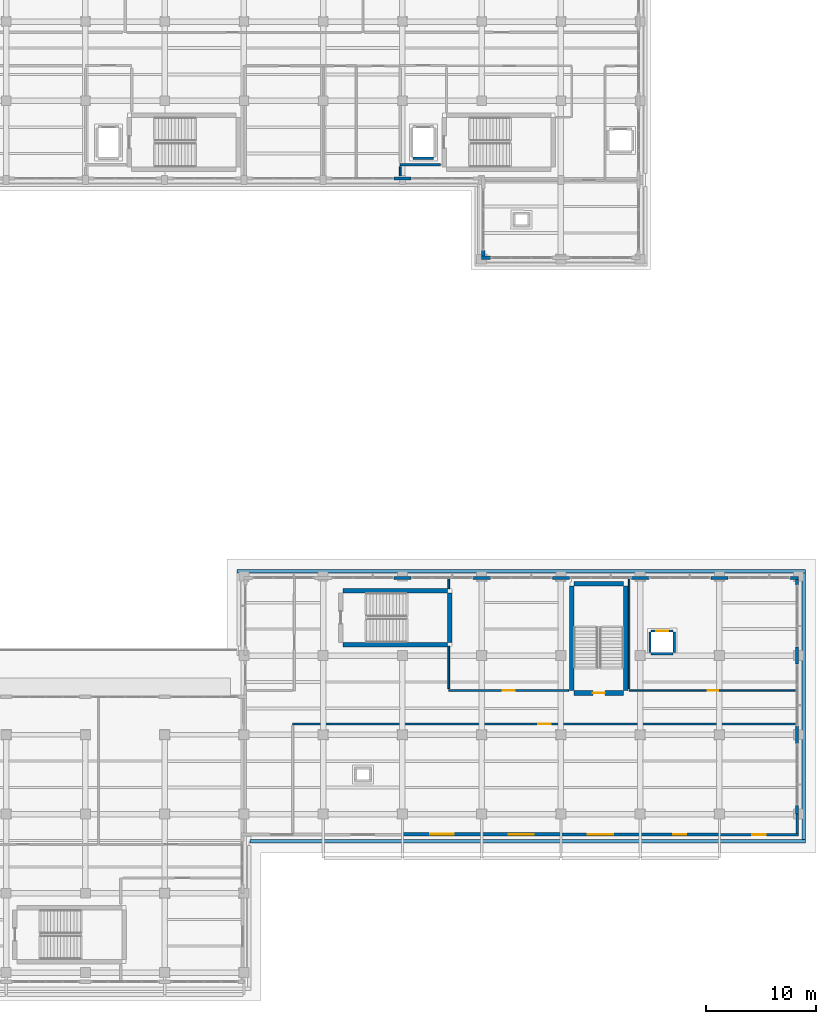
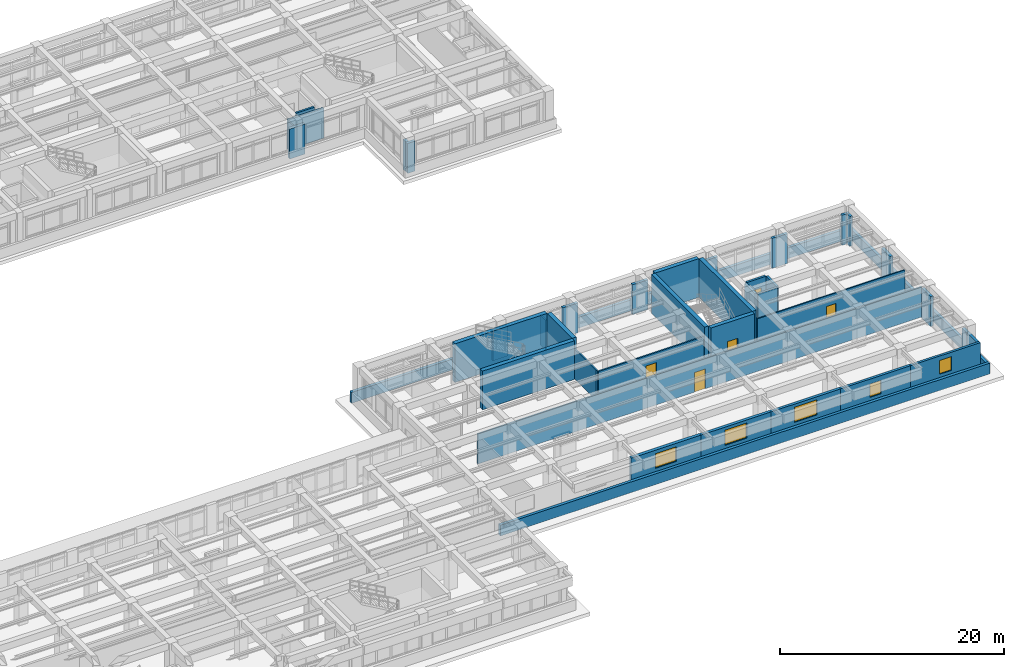
# One storey, part 54 of 69: 42 walls, 5 doors, 5 windows, 10 openings.
"""IFC4 building model written with IfcOpenShell, lengths in metres."""

from ifc_helpers import new_model, si_unit, direction, frame, frame_2d, origin, place, context, subcontext, project, spatial, rectangle, extrude, material, layer, layer_set, type_object, element, fill, save


model = new_model("IFC4")

# Units and contexts
model_context = context("Model", 3, precision=1e-05, world=origin(), true_north=direction((0.0, 1.0)))
body_context = subcontext(model_context, "Body", "Model", "MODEL_VIEW")
ifc_project = project(units=[si_unit("LENGTHUNIT", "METRE"), si_unit("AREAUNIT", "SQUARE_METRE"), si_unit("VOLUMEUNIT", "CUBIC_METRE"), si_unit("PLANEANGLEUNIT", "RADIAN"), si_unit("MASSUNIT", "GRAM", prefix="KILO")], contexts=[model_context])

# Site, building, storey
site_placement = place(None, origin())
site = spatial("IfcSite", under=ifc_project, at=site_placement, CompositionType="ELEMENT")
building_placement = place(site_placement, origin())
building = spatial("IfcBuilding", under=site, at=building_placement, Name="Solenvale Faculty of Natural Sciences", CompositionType="ELEMENT")
storey_placement = place(building_placement, frame((0.0, 0.0, 4.5)))
storey = spatial("IfcBuildingStorey", under=building, at=storey_placement, Name="L01", CompositionType="ELEMENT", Elevation=4.5)

# Walls
ifc_material_1 = material(Name="Architectural bronze concrete 40 MPa", Category="concrete")
ifc_layer_1 = layer(ifc_material_1, 0.300048828125)
ifc_layer_set_1 = layer_set([ifc_layer_1], Name="Architectural bronze concrete 40 MPa")
wall_type_1 = type_object("IfcWallType", Name="WL-EXT-BRZ-300", PredefinedType="STANDARD", material=ifc_layer_set_1)
wall_1_placement = place(storey_placement, frame((114.580078125, 58.069091796875, 0.0), z_axis=(0.0, 0.0, 1.0), x_axis=(1.0, 0.0, 0.0)))
element("IfcWall", 1, at=wall_1_placement, inside=storey, type_object=wall_type_1, Name="L01 Sliding-Tray Rough Bronze Concrete Band 2", PredefinedType="PARAPET", context=body_context, shape_type="SweptSolid", body=[
    extrude(rectangle(XDim=51.639892578125, YDim=0.300048828125, at=frame_2d((25.81982421875, 0.0))), origin(), (0.0, 0.0, 1.0), 1.179931640625),
])
wall_2_placement = place(storey_placement, frame((166.070068359375, 57.9189453125, 0.0), z_axis=(0.0, 0.0, 1.0), x_axis=(-4.0288871e-05, -0.999999999188, 0.0)))
element("IfcWall", 2, at=wall_2_placement, inside=storey, type_object=wall_type_1, Name="L01 Sliding-Tray Rough Bronze Concrete Band 3", PredefinedType="PARAPET", context=body_context, shape_type="SweptSolid", body=[
    extrude(rectangle(XDim=24.239013671875, YDim=0.300048828125, at=frame_2d((12.11962890625, 0.0))), origin(), (0.0, 0.0, 1.0), 1.179931640625),
])
wall_3_placement = place(storey_placement, frame((166.218994140625, 33.530029296875, 0.0), z_axis=(0.0, 0.0, 1.0), x_axis=(-0.999999999813, 1.9349752e-05, 0.0)))
element("IfcWall", 3, at=wall_3_placement, inside=storey, type_object=wall_type_1, Name="L01 Sliding-Tray Rough Bronze Concrete Band 4", PredefinedType="PARAPET", context=body_context, shape_type="SweptSolid", body=[
    extrude(rectangle(XDim=50.468994140625, YDim=0.300048828125, at=frame_2d((25.234375, 0.0))), origin(), (0.0, 0.0, 1.0), 1.179931640625),
])

# Wall, opening, window
ifc_material_2 = material(Name="Precast concrete 40 MPa", Category="concrete")
ifc_layer_2 = layer(ifc_material_2, 0.2451171875)
ifc_layer_set_2 = layer_set([ifc_layer_2], Name="Precast concrete 40 MPa")
wall_type_2 = type_object("IfcWallType", Name="WL-EXT-PRC-245", PredefinedType="STANDARD", material=ifc_layer_set_2)
wall_4_placement = place(storey_placement, frame((165.60009765625, 34.12255859375, 0.0), z_axis=(0.0, 0.0, 1.0), x_axis=(-1.0, 0.0, 0.0)))
wall_4 = element("IfcWall", 4, at=wall_4_placement, inside=storey, type_object=wall_type_2, Name="L01 Exterior Wall 7.7", PredefinedType="STANDARD", context=body_context, shape_type="SweptSolid", body=[
    extrude(rectangle(XDim=7.2001953125, YDim=0.2451171875, at=frame_2d((3.60009765625, 0.0))), origin(), (0.0, 0.0, 1.0), 3.260009765625),
])
opening_1_placement = place(wall_4_placement, frame((2.97509765625, 0.0, 1.280029296875)))
opening_1 = element("IfcOpeningElement", 5, at=opening_1_placement, cuts=wall_4, Name="Opening WN-30", PredefinedType="OPENING", context=body_context, shape_type="SweptSolid", body=[
    extrude(rectangle(XDim=1.25, YDim=1.5, at=frame_2d((0.625, 0.75))), frame((0.0, 0.132568359375, 0.0), z_axis=(0.0, -1.0, 0.0), x_axis=(1.0, 0.0, 0.0)), (0.0, 0.0, 1.0), 0.26513671875),
])
ifc_material_3 = material(Name="Triple low-E insulated glass", Category="glass")
window_type_1 = type_object("IfcWindowType", Name="WN-1250x1500", PartitioningType="SINGLE_PANEL", PredefinedType="WINDOW", material=ifc_material_3)
window_1_placement = place(opening_1_placement, origin())
window_1 = element("IfcWindow", 6, at=window_1_placement, inside=storey, type_object=window_type_1, Name="L01 Window 7.7", OverallHeight=1.5, OverallWidth=1.25, PartitioningType="SINGLE_PANEL", PredefinedType="WINDOW", context=body_context, shape_type="SweptSolid", body=[
    extrude(rectangle(XDim=1.25, YDim=1.5, at=frame_2d((0.625, 0.75))), frame((0.0, 0.030029296875, 0.0), z_axis=(0.0, -1.0, 0.0), x_axis=(1.0, 0.0, 0.0)), (0.0, 0.0, 1.0), 0.06005859375),
])
fill(opening_1, window_1)

ifc_layer_3 = layer(ifc_material_2, 0.264892578125)
ifc_layer_set_3 = layer_set([ifc_layer_3], Name="Precast concrete 40 MPa")
wall_type_3 = type_object("IfcWallType", Name="WL-EXT-PRC-265", PredefinedType="STANDARD", material=ifc_layer_set_3)
wall_5_placement = place(storey_placement, frame((158.39990234375, 34.132568359375, 0.0), z_axis=(0.0, 0.0, 1.0), x_axis=(-1.0, 0.0, 0.0)))
wall_5 = element("IfcWall", 7, at=wall_5_placement, inside=storey, type_object=wall_type_3, Name="L01 Exterior Wall 7.6", PredefinedType="STANDARD", context=body_context, shape_type="SweptSolid", body=[
    extrude(rectangle(XDim=7.199951171875, YDim=0.264892578125, at=frame_2d((3.60009765625, 0.0))), origin(), (0.0, 0.0, 1.0), 3.260009765625),
])
opening_2_placement = place(wall_5_placement, frame((3.02490234375, 0.0, 1.280029296875)))
opening_2 = element("IfcOpeningElement", 8, at=opening_2_placement, cuts=wall_5, Name="Opening WN-29", PredefinedType="OPENING", context=body_context, shape_type="SweptSolid", body=[
    extrude(rectangle(XDim=1.14990234375, YDim=1.449951171875, at=frame_2d((0.574951171875, 0.72509765625))), frame((0.0, 0.142333984375, 0.0), z_axis=(0.0, -1.0, 0.0), x_axis=(1.0, 0.0, 0.0)), (0.0, 0.0, 1.0), 0.284912109375),
])
window_type_2 = type_object("IfcWindowType", Name="WN-1150x1450", PartitioningType="SINGLE_PANEL", PredefinedType="WINDOW", material=ifc_material_3)
window_2_placement = place(opening_2_placement, origin())
window_2 = element("IfcWindow", 9, at=window_2_placement, inside=storey, type_object=window_type_2, Name="L01 Window 7.6", OverallHeight=1.449951171875, OverallWidth=1.14990234375, PartitioningType="SINGLE_PANEL", PredefinedType="WINDOW", context=body_context, shape_type="SweptSolid", body=[
    extrude(rectangle(XDim=1.14990234375, YDim=1.449951171875, at=frame_2d((0.574951171875, 0.72509765625))), frame((0.0, 0.030029296875, 0.0), z_axis=(0.0, -1.0, 0.0), x_axis=(1.0, 0.0, 0.0)), (0.0, 0.0, 1.0), 0.06005859375),
])
fill(opening_2, window_2)

# Wall
wall_6_placement = place(storey_placement, frame((165.467529296875, 36.0, 0.0), z_axis=(0.0, 0.0, 1.0), x_axis=(0.0, -1.0, 0.0)))
element("IfcWall", 10, at=wall_6_placement, inside=storey, type_object=wall_type_3, Name="L01 Exterior Wall 8.1", PredefinedType="STANDARD", context=body_context, shape_type="SweptSolid", body=[
    extrude(rectangle(XDim=1.7548828125, YDim=0.264892578125, at=frame_2d((0.87744140625, 0.0))), origin(), (0.0, 0.0, 1.0), 3.260009765625),
])

# Wall, opening, window
ifc_layer_4 = layer(ifc_material_2, 0.284912109375)
ifc_layer_set_4 = layer_set([ifc_layer_4], Name="Precast concrete 40 MPa")
wall_type_4 = type_object("IfcWallType", Name="WL-EXT-PRC-285", PredefinedType="STANDARD", material=ifc_layer_set_4)
wall_7_placement = place(storey_placement, frame((151.199951171875, 34.142578125, 0.0), z_axis=(0.0, 0.0, 1.0), x_axis=(-1.0, 0.0, 0.0)))
wall_7 = element("IfcWall", 11, at=wall_7_placement, inside=storey, type_object=wall_type_4, Name="L01 Exterior Wall 7.5", PredefinedType="STANDARD", context=body_context, shape_type="SweptSolid", body=[
    extrude(rectangle(XDim=7.199951171875, YDim=0.284912109375, at=frame_2d((3.60009765625, 0.0))), origin(), (0.0, 0.0, 1.0), 3.260009765625),
])
opening_3_placement = place(wall_7_placement, frame((2.425048828125, 0.0, 1.280029296875)))
opening_3 = element("IfcOpeningElement", 12, at=opening_3_placement, cuts=wall_7, Name="Opening WN-28", PredefinedType="OPENING", context=body_context, shape_type="SweptSolid", body=[
    extrude(rectangle(XDim=2.35009765625, YDim=1.64990234375, at=frame_2d((1.175048828125, 0.824951171875))), frame((0.0, 0.15234375, 0.0), z_axis=(0.0, -1.0, 0.0), x_axis=(1.0, 0.0, 0.0)), (0.0, 0.0, 1.0), 0.304931640625),
])
window_type_3 = type_object("IfcWindowType", Name="WN-2350x1650", PartitioningType="SINGLE_PANEL", PredefinedType="WINDOW", material=ifc_material_3)
window_3_placement = place(opening_3_placement, origin())
window_3 = element("IfcWindow", 13, at=window_3_placement, inside=storey, type_object=window_type_3, Name="L01 Window 7.5", OverallHeight=1.64990234375, OverallWidth=2.35009765625, PartitioningType="SINGLE_PANEL", PredefinedType="WINDOW", context=body_context, shape_type="SweptSolid", body=[
    extrude(rectangle(XDim=2.35009765625, YDim=1.64990234375, at=frame_2d((1.175048828125, 0.824951171875))), frame((0.0, 0.030029296875, 0.0), z_axis=(0.0, -1.0, 0.0), x_axis=(1.0, 0.0, 0.0)), (0.0, 0.0, 1.0), 0.06005859375),
])
fill(opening_3, window_3)

# Walls
wall_8_placement = place(storey_placement, frame((165.45751953125, 36.0, 0.0), z_axis=(0.0, 0.0, 1.0), x_axis=(0.0, 1.0, 0.0)))
element("IfcWall", 14, at=wall_8_placement, inside=storey, type_object=wall_type_4, Name="L01 Facade Closure Pier 8.B2-L", PredefinedType="STANDARD", context=body_context, shape_type="SweptSolid", body=[
    extrude(rectangle(XDim=0.7880859375, YDim=0.284912109375, at=frame_2d((0.39404296875, 0.0))), origin(), (0.0, 0.0, 1.0), 3.260009765625),
])
for number, where, z_axis, x_axis, name in (
    (15, (165.45751953125, 42.412109375, 0.0), (0.0, 0.0, 1.0), (0.0, 1.0, 0.0), "L01 Facade Closure Pier 8.B2-R"),
    (16, (165.45751953125, 49.612060546875, 0.0), (0.0, 0.0, 1.0), (0.0, 1.0, 0.0), "L01 Facade Closure Pier 8.B3-R"),
):
    element("IfcWall", number, at=place(storey_placement, frame(where, z_axis=z_axis, x_axis=x_axis)), inside=storey, type_object=wall_type_4, Name=name, PredefinedType="STANDARD", context=body_context, shape_type="SweptSolid", body=[
        extrude(rectangle(XDim=1.575927734375, YDim=0.284912109375, at=frame_2d((0.7880859375, 0.0))), origin(), (0.0, 0.0, 1.0), 3.260009765625),
    ])
wall_9_placement = place(storey_placement, frame((165.45751953125, 56.81201171875, 0.0), z_axis=(0.0, 0.0, 1.0), x_axis=(0.0, 1.0, 0.0)))
element("IfcWall", 17, at=wall_9_placement, inside=storey, type_object=wall_type_4, Name="L01 Facade Closure Pier 8.B4-R", PredefinedType="STANDARD", context=body_context, shape_type="SweptSolid", body=[
    extrude(rectangle(XDim=0.5029296875, YDim=0.284912109375, at=frame_2d((0.25146484375, 0.0))), origin(), (0.0, 0.0, 1.0), 3.260009765625),
])
wall_10_placement = place(storey_placement, frame((165.60009765625, 57.45751953125, 0.0), z_axis=(0.0, 0.0, 1.0), x_axis=(-1.0, 0.0, 0.0)))
element("IfcWall", 18, at=wall_10_placement, inside=storey, type_object=wall_type_4, Name="L01 Facade Closure Pier 9.B1-L", PredefinedType="STANDARD", context=body_context, shape_type="SweptSolid", body=[
    extrude(rectangle(XDim=0.7880859375, YDim=0.284912109375, at=frame_2d((0.39404296875, 0.0))), origin(), (0.0, 0.0, 1.0), 3.260009765625),
])
for number, where, z_axis, x_axis, name in (
    (19, (159.18798828125, 57.45751953125, 0.0), (0.0, 0.0, 1.0), (-1.0, 0.0, 0.0), "L01 Facade Closure Pier 9.B1-R"),
    (20, (151.988037109375, 57.45751953125, 0.0), (0.0, 0.0, 1.0), (-1.0, 0.0, 0.0), "L01 Facade Closure Pier 9.B2-R"),
):
    element("IfcWall", number, at=place(storey_placement, frame(where, z_axis=z_axis, x_axis=x_axis)), inside=storey, type_object=wall_type_4, Name=name, PredefinedType="STANDARD", context=body_context, shape_type="SweptSolid", body=[
        extrude(rectangle(XDim=1.575927734375, YDim=0.284912109375, at=frame_2d((0.7880859375, 0.0))), origin(), (0.0, 0.0, 1.0), 3.260009765625),
    ])
wall_11_placement = place(storey_placement, frame((144.7880859375, 57.45751953125, 0.0), z_axis=(0.0, 0.0, 1.0), x_axis=(-1.0, 0.0, 0.0)))
element("IfcWall", 21, at=wall_11_placement, inside=storey, type_object=wall_type_4, Name="L01 Facade Closure Pier 9.B3-R", PredefinedType="STANDARD", context=body_context, shape_type="SweptSolid", body=[
    extrude(rectangle(XDim=1.576171875, YDim=0.284912109375, at=frame_2d((0.7880859375, 0.0))), origin(), (0.0, 0.0, 1.0), 3.260009765625),
])
for number, where, z_axis, x_axis, name in (
    (22, (137.587890625, 57.45751953125, 0.0), (0.0, 0.0, 1.0), (-1.0, 0.0, 0.0), "L01 Facade Closure Pier 9.B4-R"),
    (23, (130.387939453125, 57.45751953125, 0.0), (0.0, 0.0, 1.0), (-1.0, 0.0, 0.0), "L01 Facade Closure Pier 9.B5-R"),
):
    element("IfcWall", number, at=place(storey_placement, frame(where, z_axis=z_axis, x_axis=x_axis)), inside=storey, type_object=wall_type_4, Name=name, PredefinedType="STANDARD", context=body_context, shape_type="SweptSolid", body=[
        extrude(rectangle(XDim=1.575927734375, YDim=0.284912109375, at=frame_2d((0.7880859375, 0.0))), origin(), (0.0, 0.0, 1.0), 3.260009765625),
    ])
wall_12_placement = place(storey_placement, frame((136.800048828125, 86.54248046875, 0.0), z_axis=(0.0, 0.0, 1.0), x_axis=(1.0, 0.0, 0.0)))
element("IfcWall", 24, at=wall_12_placement, inside=storey, type_object=wall_type_4, Name="L01 Facade Closure Pier 1.B1-L", PredefinedType="STANDARD", context=body_context, shape_type="SweptSolid", body=[
    extrude(rectangle(XDim=0.787841796875, YDim=0.284912109375, at=frame_2d((0.39404296875, 0.0))), origin(), (0.0, 0.0, 1.0), 3.260009765625),
])
wall_13_placement = place(storey_placement, frame((128.81201171875, 93.742431640625, 0.0), z_axis=(0.0, 0.0, 1.0), x_axis=(1.0, 0.0, 0.0)))
element("IfcWall", 25, at=wall_13_placement, inside=storey, type_object=wall_type_4, Name="L01 Facade Closure Pier 6.B7-R", PredefinedType="STANDARD", context=body_context, shape_type="SweptSolid", body=[
    extrude(rectangle(XDim=1.575927734375, YDim=0.284912109375, at=frame_2d((0.7880859375, 0.0))), origin(), (0.0, 0.0, 1.0), 3.260009765625),
])
wall_14_placement = place(storey_placement, frame((136.9423828125, 87.18798828125, 0.0), z_axis=(0.0, 0.0, 1.0), x_axis=(0.0, -1.0, 0.0)))
element("IfcWall", 26, at=wall_14_placement, inside=storey, type_object=wall_type_4, Name="L01 Facade Closure Pier 7.B1-R", PredefinedType="STANDARD", context=body_context, shape_type="SweptSolid", body=[
    extrude(rectangle(XDim=0.5029296875, YDim=0.284912109375, at=frame_2d((0.25146484375, 0.0))), origin(), (0.0, 0.0, 1.0), 3.260009765625),
])

# Wall, opening, window
ifc_layer_5 = layer(ifc_material_2, 0.304931640625)
ifc_layer_set_5 = layer_set([ifc_layer_5], Name="Precast concrete 40 MPa")
wall_type_5 = type_object("IfcWallType", Name="WL-EXT-PRC-305", PredefinedType="STANDARD", material=ifc_layer_set_5)
wall_15_placement = place(storey_placement, frame((144.0, 34.152587890625, 0.0), z_axis=(0.0, 0.0, 1.0), x_axis=(-1.0, 0.0, 0.0)))
wall_15 = element("IfcWall", 27, at=wall_15_placement, inside=storey, type_object=wall_type_5, Name="L01 Exterior Wall 7.4", PredefinedType="STANDARD", context=body_context, shape_type="SweptSolid", body=[
    extrude(rectangle(XDim=7.199951171875, YDim=0.304931640625, at=frame_2d((3.60009765625, 0.0))), origin(), (0.0, 0.0, 1.0), 3.260009765625),
])
opening_4_placement = place(wall_15_placement, frame((2.47509765625, 0.0, 1.280029296875)))
opening_4 = element("IfcOpeningElement", 28, at=opening_4_placement, cuts=wall_15, Name="Opening WN-27", PredefinedType="OPENING", context=body_context, shape_type="SweptSolid", body=[
    extrude(rectangle(XDim=2.25, YDim=1.64990234375, at=frame_2d((1.125, 0.824951171875))), frame((0.0, 0.162353515625, 0.0), z_axis=(0.0, -1.0, 0.0), x_axis=(1.0, 0.0, 0.0)), (0.0, 0.0, 1.0), 0.324951171875),
])
window_type_4 = type_object("IfcWindowType", Name="WN-2250x1650", PartitioningType="SINGLE_PANEL", PredefinedType="WINDOW", material=ifc_material_3)
window_4_placement = place(opening_4_placement, origin())
window_4 = element("IfcWindow", 29, at=window_4_placement, inside=storey, type_object=window_type_4, Name="L01 Window 7.4", OverallHeight=1.64990234375, OverallWidth=2.25, PartitioningType="SINGLE_PANEL", PredefinedType="WINDOW", context=body_context, shape_type="SweptSolid", body=[
    extrude(rectangle(XDim=2.25, YDim=1.64990234375, at=frame_2d((1.125, 0.824951171875))), frame((0.0, 0.030029296875, 0.0), z_axis=(0.0, -1.0, 0.0), x_axis=(1.0, 0.0, 0.0)), (0.0, 0.0, 1.0), 0.06005859375),
])
fill(opening_4, window_4)

ifc_layer_6 = layer(ifc_material_2, 0.330078125)
ifc_layer_set_6 = layer_set([ifc_layer_6], Name="Precast concrete 40 MPa")
wall_type_6 = type_object("IfcWallType", Name="WL-EXT-PRC-330", PredefinedType="STANDARD", material=ifc_layer_set_6)
wall_16_placement = place(storey_placement, frame((136.800048828125, 34.1650390625, 0.0), z_axis=(0.0, 0.0, 1.0), x_axis=(-1.0, 0.0, 0.0)))
wall_16 = element("IfcWall", 30, at=wall_16_placement, inside=storey, type_object=wall_type_6, Name="L01 Exterior Wall 7.3", PredefinedType="STANDARD", context=body_context, shape_type="SweptSolid", body=[
    extrude(rectangle(XDim=7.199951171875, YDim=0.330078125, at=frame_2d((3.60009765625, 0.0))), origin(), (0.0, 0.0, 1.0), 3.260009765625),
])
opening_5_placement = place(wall_16_placement, frame((2.52490234375, 0.0, 1.280029296875)))
opening_5 = element("IfcOpeningElement", 31, at=opening_5_placement, cuts=wall_16, Name="Opening WN-26", PredefinedType="OPENING", context=body_context, shape_type="SweptSolid", body=[
    extrude(rectangle(XDim=2.14990234375, YDim=1.60009765625, at=frame_2d((1.074951171875, 0.800048828125))), frame((0.0, 0.175048828125, 0.0), z_axis=(0.0, -1.0, 0.0), x_axis=(1.0, 0.0, 0.0)), (0.0, 0.0, 1.0), 0.35009765625),
])
window_type_5 = type_object("IfcWindowType", Name="WN-2150x1600", PartitioningType="SINGLE_PANEL", PredefinedType="WINDOW", material=ifc_material_3)
window_5_placement = place(opening_5_placement, origin())
window_5 = element("IfcWindow", 32, at=window_5_placement, inside=storey, type_object=window_type_5, Name="L01 Window 7.3", OverallHeight=1.60009765625, OverallWidth=2.14990234375, PartitioningType="SINGLE_PANEL", PredefinedType="WINDOW", context=body_context, shape_type="SweptSolid", body=[
    extrude(rectangle(XDim=2.14990234375, YDim=1.60009765625, at=frame_2d((1.074951171875, 0.800048828125))), frame((0.0, 0.030029296875, 0.0), z_axis=(0.0, -1.0, 0.0), x_axis=(1.0, 0.0, 0.0)), (0.0, 0.0, 1.0), 0.06005859375),
])
fill(opening_5, window_5)

# Wall
ifc_material_4 = material(Name="Gypsum fire-rated shaftwall")
ifc_layer_7 = layer(ifc_material_4, 0.205078125)
ifc_layer_set_7 = layer_set([ifc_layer_7], Name="Gypsum fire-rated shaftwall")
wall_type_7 = type_object("IfcWallType", Name="WL-FFL-205", PredefinedType="PARTITIONING", material=ifc_layer_set_7)
wall_17_placement = place(storey_placement, frame((133.075927734375, 95.0, 0.0), z_axis=(0.0, 0.0, 1.0), x_axis=(-1.0, 0.0, 0.0)))
element("IfcWall", 33, at=wall_17_placement, inside=storey, type_object=wall_type_7, Name="L01 Firefighting Lobby C5 Partition 20", PredefinedType="PARTITIONING", context=body_context, shape_type="SweptSolid", body=[
    extrude(rectangle(XDim=3.676025390625, YDim=0.205078125, at=frame_2d((1.837890625, 0.0))), origin(), (0.0, 0.0, 1.0), 3.260009765625),
])

# Wall, opening, door
ifc_material_5 = material(Name="Acoustic stud gypsum partition")
ifc_layer_8 = layer(ifc_material_5, 0.132080078125)
ifc_layer_set_8 = layer_set([ifc_layer_8], Name="Acoustic stud gypsum partition")
wall_type_8 = type_object("IfcWallType", Name="WL-OFF-132", PredefinedType="PARTITIONING", material=ifc_layer_set_8)
wall_18_placement = place(storey_placement, frame((165.41796875, 47.219970703125, 0.0), z_axis=(0.0, 0.0, 1.0), x_axis=(-1.0, 0.0, 0.0)))
wall_18 = element("IfcWall", 34, at=wall_18_placement, inside=storey, type_object=wall_type_8, Name="L01 Faculty Staff Office Partition 2", PredefinedType="PARTITIONING", context=body_context, shape_type="SweptSolid", body=[
    extrude(rectangle(XDim=15.218017578125, YDim=0.132080078125, at=frame_2d((7.60888671875, 0.0))), origin(), (0.0, 0.0, 1.0), 3.260009765625),
])
opening_6_placement = place(wall_18_placement, frame((7.12890625, 0.0, 0.0)))
opening_6 = element("IfcOpeningElement", 35, at=opening_6_placement, cuts=wall_18, Name="Opening D-L01-18", PredefinedType="OPENING", context=body_context, shape_type="SweptSolid", body=[
    extrude(rectangle(XDim=0.9599609375, YDim=2.10009765625, at=frame_2d((0.47998046875, 1.050048828125))), frame((0.0, 0.075927734375, 0.0), z_axis=(0.0, -1.0, 0.0), x_axis=(1.0, 0.0, 0.0)), (0.0, 0.0, 1.0), 0.152099609375),
])
ifc_material_6 = material(Name="Oak acoustic timber leaf", Category="wood")
door_type_1 = type_object("IfcDoorType", Name="DR-OFF-0960x2100", OperationType="NOTDEFINED", PredefinedType="DOOR", material=ifc_material_6)
door_1_placement = place(opening_6_placement, origin())
door_1 = element("IfcDoor", 36, at=door_1_placement, inside=storey, type_object=door_type_1, Name="L01 Faculty Staff Office Door", OperationType="SINGLE_SWING_LEFT", OverallHeight=2.10009765625, OverallWidth=0.9599609375, PredefinedType="DOOR", context=body_context, shape_type="SweptSolid", body=[
    extrude(rectangle(XDim=0.9599609375, YDim=2.10009765625, at=frame_2d((0.47998046875, 1.050048828125))), frame((0.0, 0.02490234375, 0.0), z_axis=(0.0, -1.0, 0.0), x_axis=(1.0, 0.0, 0.0)), (0.0, 0.0, 1.0), 0.050048828125),
])
fill(opening_6, door_1)

# Walls
wall_19_placement = place(storey_placement, frame((150.199951171875, 47.364013671875, 0.0), z_axis=(0.0, 0.0, 1.0), x_axis=(0.0, 1.0, 0.0)))
element("IfcWall", 37, at=wall_19_placement, inside=storey, type_object=wall_type_8, Name="L01 Faculty Staff Office Partition 3", PredefinedType="PARTITIONING", context=body_context, shape_type="SweptSolid", body=[
    extrude(rectangle(XDim=10.053955078125, YDim=0.132080078125, at=frame_2d((5.02685546875, 0.0))), origin(), (0.0, 0.0, 1.0), 3.260009765625),
])
ifc_layer_9 = layer(ifc_material_5, 0.139892578125)
ifc_layer_set_9 = layer_set([ifc_layer_9], Name="Acoustic stud gypsum partition")
wall_type_9 = type_object("IfcWallType", Name="WL-OFF-140", PredefinedType="PARTITIONING", material=ifc_layer_set_9)
wall_20_placement = place(storey_placement, frame((129.39990234375, 94.81591796875, 0.0), z_axis=(0.0, 0.0, 1.0), x_axis=(0.0, -1.0, 0.0)))
element("IfcWall", 38, at=wall_20_placement, inside=storey, type_object=wall_type_9, Name="L01 Instrument Preparation Room Partition 20", PredefinedType="PARTITIONING", context=body_context, shape_type="SweptSolid", body=[
    extrude(rectangle(XDim=0.848876953125, YDim=0.139892578125, at=frame_2d((0.42431640625, 0.0))), origin(), (0.0, 0.0, 1.0), 3.260009765625),
])

# Wall, opening, door
ifc_material_7 = material(Name="Acoustic double-stud gypsum partition")
ifc_layer_10 = layer(ifc_material_7, 0.155029296875)
ifc_layer_set_10 = layer_set([ifc_layer_10], Name="Acoustic double-stud gypsum partition")
wall_type_10 = type_object("IfcWallType", Name="WL-SEM-155", PredefinedType="PARTITIONING", material=ifc_layer_set_10)
wall_21_placement = place(storey_placement, frame((144.700927734375, 47.219970703125, 0.0), z_axis=(0.0, 0.0, 1.0), x_axis=(-1.0, 0.0, 0.0)))
wall_21 = element("IfcWall", 39, at=wall_21_placement, inside=storey, type_object=wall_type_10, Name="L01 Science Library Reference Reading Hall Partition 7", PredefinedType="PARTITIONING", context=body_context, shape_type="SweptSolid", body=[
    extrude(rectangle(XDim=10.90087890625, YDim=0.155029296875, at=frame_2d((5.450439453125, 0.0))), origin(), (0.0, 0.0, 1.0), 3.260009765625),
])
opening_7_placement = place(wall_21_placement, frame((4.909912109375, 0.0, 0.0)))
opening_7 = element("IfcOpeningElement", 40, at=opening_7_placement, cuts=wall_21, Name="Opening D-L01-17", PredefinedType="OPENING", context=body_context, shape_type="SweptSolid", body=[
    extrude(rectangle(XDim=1.080078125, YDim=2.14990234375, at=frame_2d((0.5400390625, 1.074951171875))), frame((0.0, 0.08740234375, 0.0), z_axis=(0.0, -1.0, 0.0), x_axis=(1.0, 0.0, 0.0)), (0.0, 0.0, 1.0), 0.175048828125),
])
door_type_2 = type_object("IfcDoorType", Name="DR-SEM-1080x2150", OperationType="NOTDEFINED", PredefinedType="DOOR", material=ifc_material_6)
door_2_placement = place(opening_7_placement, origin())
door_2 = element("IfcDoor", 41, at=door_2_placement, inside=storey, type_object=door_type_2, Name="L01 Science Library Reference Reading Hall Door", OperationType="SINGLE_SWING_RIGHT", OverallHeight=2.14990234375, OverallWidth=1.080078125, PredefinedType="DOOR", context=body_context, shape_type="SweptSolid", body=[
    extrude(rectangle(XDim=1.080078125, YDim=2.14990234375, at=frame_2d((0.5400390625, 1.074951171875))), frame((0.0, 0.02490234375, 0.0), z_axis=(0.0, -1.0, 0.0), x_axis=(1.0, 0.0, 0.0)), (0.0, 0.0, 1.0), 0.050048828125),
])
fill(opening_7, door_2)

# Walls
wall_22_placement = place(storey_placement, frame((133.800048828125, 47.386962890625, 0.0), z_axis=(0.0, 0.0, 1.0), x_axis=(0.0, 1.0, 0.0)))
element("IfcWall", 42, at=wall_22_placement, inside=storey, type_object=wall_type_10, Name="L01 Science Library Reference Reading Hall Partition 8", PredefinedType="PARTITIONING", context=body_context, shape_type="SweptSolid", body=[
    extrude(rectangle(XDim=3.863037109375, YDim=0.155029296875, at=frame_2d((1.931640625, 0.0))), origin(), (0.0, 0.0, 1.0), 3.260009765625),
])
wall_23_placement = place(storey_placement, frame((133.800048828125, 56.449951171875, 0.0), z_axis=(0.0, 0.0, 1.0), x_axis=(0.0, 1.0, 0.0)))
element("IfcWall", 43, at=wall_23_placement, inside=storey, type_object=wall_type_10, Name="L01 Science Library Reference Reading Hall Partition 34", PredefinedType="PARTITIONING", context=body_context, shape_type="SweptSolid", body=[
    extrude(rectangle(XDim=0.968017578125, YDim=0.155029296875, at=frame_2d((0.48388671875, 0.0))), origin(), (0.0, 0.0, 1.0), 3.260009765625),
])

# Wall, opening, door
ifc_layer_11 = layer(ifc_material_7, 0.169921875)
ifc_layer_set_11 = layer_set([ifc_layer_11], Name="Acoustic double-stud gypsum partition")
wall_type_11 = type_object("IfcWallType", Name="WL-SEM-170", PredefinedType="PARTITIONING", material=ifc_layer_set_11)
wall_24_placement = place(storey_placement, frame((119.6201171875, 44.179931640625, 0.0), z_axis=(0.0, 0.0, 1.0), x_axis=(1.0, 0.0, 0.0)))
wall_24 = element("IfcWall", 44, at=wall_24_placement, inside=storey, type_object=wall_type_11, Name="L01 Learning Commons South Reading Hall Partition 1", PredefinedType="PARTITIONING", context=body_context, shape_type="SweptSolid", body=[
    extrude(rectangle(XDim=45.7978515625, YDim=0.169921875, at=frame_2d((22.89892578125, 0.0))), origin(), (0.0, 0.0, 1.0), 3.260009765625),
])
opening_8_placement = place(wall_24_placement, frame((22.339111328125, 0.0, 0.0)))
opening_8 = element("IfcOpeningElement", 45, at=opening_8_placement, cuts=wall_24, Name="Opening D-L01-03", PredefinedType="OPENING", context=body_context, shape_type="SweptSolid", body=[
    extrude(rectangle(XDim=1.1201171875, YDim=2.14990234375, at=frame_2d((0.56005859375, 1.074951171875))), frame((0.0, 0.094970703125, 0.0), z_axis=(0.0, -1.0, 0.0), x_axis=(1.0, 0.0, 0.0)), (0.0, 0.0, 1.0), 0.18994140625),
])
door_type_3 = type_object("IfcDoorType", Name="DR-SEM-1120x2150", OperationType="NOTDEFINED", PredefinedType="DOOR", material=ifc_material_6)
door_3_placement = place(opening_8_placement, origin())
door_3 = element("IfcDoor", 46, at=door_3_placement, inside=storey, type_object=door_type_3, Name="L01 Learning Commons South Reading Hall Door", OperationType="SINGLE_SWING_RIGHT", OverallHeight=2.14990234375, OverallWidth=1.1201171875, PredefinedType="DOOR", context=body_context, shape_type="SweptSolid", body=[
    extrude(rectangle(XDim=1.1201171875, YDim=2.14990234375, at=frame_2d((0.56005859375, 1.074951171875))), frame((0.0, 0.02490234375, 0.0), z_axis=(0.0, -1.0, 0.0), x_axis=(1.0, 0.0, 0.0)), (0.0, 0.0, 1.0), 0.050048828125),
])
fill(opening_8, door_3)

# Wall
ifc_material_8 = material(Name="Concrete 40 MPa", Category="concrete")
ifc_layer_12 = layer(ifc_material_8, 0.219970703125)
ifc_layer_set_12 = layer_set([ifc_layer_12], Name="Concrete 40 MPa")
wall_type_12 = type_object("IfcWallType", Name="WL-SHF-220", PredefinedType="STANDARD", material=ifc_layer_set_12)
wall_25_placement = place(storey_placement, frame((152.205078125, 50.570068359375, 0.0), z_axis=(0.0, 0.0, 1.0), x_axis=(1.0, 0.0, 0.0)))
element("IfcWall", 47, at=wall_25_placement, inside=storey, type_object=wall_type_12, Name="Elevator LP-02 L01 Shaft Wall S", PredefinedType="STANDARD", context=body_context, shape_type="SweptSolid", body=[
    extrude(rectangle(XDim=1.989990234375, YDim=0.219970703125, at=frame_2d((0.9951171875, 0.0))), origin(), (0.0, 0.0, 1.0), 3.260009765625),
])

# Wall, opening, door
wall_26_placement = place(storey_placement, frame((152.205078125, 52.6298828125, 0.0), z_axis=(0.0, 0.0, 1.0), x_axis=(1.0, 0.0, 0.0)))
wall_26 = element("IfcWall", 48, at=wall_26_placement, inside=storey, type_object=wall_type_12, Name="Elevator LP-02 L01 Shaft Wall N", PredefinedType="STANDARD", context=body_context, shape_type="SweptSolid", body=[
    extrude(rectangle(XDim=1.989990234375, YDim=0.219970703125, at=frame_2d((0.9951171875, 0.0))), origin(), (0.0, 0.0, 1.0), 3.260009765625),
])
opening_9_placement = place(wall_26_placement, frame((0.445068359375, 0.0, 0.0)))
opening_9 = element("IfcOpeningElement", 49, at=opening_9_placement, cuts=wall_26, Name="Opening LD-LP-02-L01", PredefinedType="OPENING", context=body_context, shape_type="SweptSolid", body=[
    extrude(rectangle(XDim=1.10009765625, YDim=2.14990234375, at=frame_2d((0.550048828125, 1.074951171875))), frame((0.0, 0.119873046875, 0.0), z_axis=(0.0, -1.0, 0.0), x_axis=(1.0, 0.0, 0.0)), (0.0, 0.0, 1.0), 0.239990234375),
])
ifc_material_9 = material(Name="Stainless steel Grade 304", Category="steel")
door_type_4 = type_object("IfcDoorType", Name="DR-LIFT-1100x2150", OperationType="NOTDEFINED", PredefinedType="DOOR", material=ifc_material_9)
door_4_placement = place(opening_9_placement, origin())
door_4 = element("IfcDoor", 50, at=door_4_placement, inside=storey, type_object=door_type_4, Name="Elevator LP-02 L01 Sliding Landing Door", OperationType="SLIDING_TO_LEFT", OverallHeight=2.14990234375, OverallWidth=1.10009765625, PredefinedType="DOOR", context=body_context, shape_type="SweptSolid", body=[
    extrude(rectangle(XDim=1.10009765625, YDim=2.14990234375, at=frame_2d((0.550048828125, 1.074951171875))), frame((0.0, 0.02490234375, 0.0), z_axis=(0.0, -1.0, 0.0), x_axis=(1.0, 0.0, 0.0)), (0.0, 0.0, 1.0), 0.050048828125),
])
fill(opening_9, door_4)

# Walls
for number, where, z_axis, x_axis, name in (
    (51, (152.094970703125, 50.679931640625, 0.0), (0.0, 0.0, 1.0), (0.0, 1.0, 0.0), "Elevator LP-02 L01 Shaft Wall W"),
    (52, (154.304931640625, 50.679931640625, 0.0), (0.0, 0.0, 1.0), (0.0, 1.0, 0.0), "Elevator LP-02 L01 Shaft Wall E"),
):
    element("IfcWall", number, at=place(storey_placement, frame(where, z_axis=z_axis, x_axis=x_axis)), inside=storey, type_object=wall_type_12, Name=name, PredefinedType="STANDARD", context=body_context, shape_type="SweptSolid", body=[
        extrude(rectangle(XDim=1.840087890625, YDim=0.219970703125, at=frame_2d((0.919921875, 0.0))), origin(), (0.0, 0.0, 1.0), 3.260009765625),
    ])
wall_27_placement = place(storey_placement, frame((130.580078125, 95.570068359375, 0.0), z_axis=(0.0, 0.0, 1.0), x_axis=(1.0, 0.0, 0.0)))
element("IfcWall", 53, at=wall_27_placement, inside=storey, type_object=wall_type_12, Name="Elevator LF-02 L01 Shaft Wall S", PredefinedType="STANDARD", context=body_context, shape_type="SweptSolid", body=[
    extrude(rectangle(XDim=1.83984375, YDim=0.219970703125, at=frame_2d((0.919921875, 0.0))), origin(), (0.0, 0.0, 1.0), 3.260009765625),
])

# Wall, opening, door
ifc_material_10 = material(Name="Concrete 50 MPa", Category="concrete")
ifc_layer_13 = layer(ifc_material_10, 0.409912109375)
ifc_layer_set_13 = layer_set([ifc_layer_13], Name="Concrete 50 MPa")
wall_type_13 = type_object("IfcWallType", Name="WL-SHR-410", PredefinedType="SHEAR", material=ifc_layer_set_13)
wall_28_placement = place(storey_placement, frame((145.199951171875, 46.9951171875, 0.0), z_axis=(0.0, 0.0, 1.0), x_axis=(1.0, 0.0, 0.0)))
wall_28 = element("IfcWall", 54, at=wall_28_placement, inside=storey, type_object=wall_type_13, Name="Core C2 L01 Shear Wall S", PredefinedType="SHEAR", context=body_context, shape_type="SweptSolid", body=[
    extrude(rectangle(XDim=4.5, YDim=0.409912109375, at=frame_2d((2.25, 0.0))), origin(), (0.0, 0.0, 1.0), 4.219970703125),
])
opening_10_placement = place(wall_28_placement, frame((1.699951171875, 0.0, 0.0)))
opening_10 = element("IfcOpeningElement", 55, at=opening_10_placement, cuts=wall_28, Name="Opening DS-C2-L01", PredefinedType="OPENING", context=body_context, shape_type="SweptSolid", body=[
    extrude(rectangle(XDim=1.10009765625, YDim=2.14990234375, at=frame_2d((0.550048828125, 1.074951171875))), frame((0.0, 0.21484375, 0.0), z_axis=(0.0, -1.0, 0.0), x_axis=(1.0, 0.0, 0.0)), (0.0, 0.0, 1.0), 0.429931640625),
])
ifc_material_11 = material(Name="Galvanised steel S355", Category="steel")
door_type_5 = type_object("IfcDoorType", Name="DR-STAIR-1100x2150", OperationType="NOTDEFINED", PredefinedType="DOOR", material=ifc_material_11)
door_5_placement = place(opening_10_placement, origin())
door_5 = element("IfcDoor", 56, at=door_5_placement, inside=storey, type_object=door_type_5, Name="L01 Stair ST-02 Fire Door", OperationType="SINGLE_SWING_LEFT", OverallHeight=2.14990234375, OverallWidth=1.10009765625, PredefinedType="DOOR", context=body_context, shape_type="SweptSolid", body=[
    extrude(rectangle(XDim=1.10009765625, YDim=2.14990234375, at=frame_2d((0.550048828125, 1.074951171875))), frame((0.0, 0.02490234375, 0.0), z_axis=(0.0, -1.0, 0.0), x_axis=(1.0, 0.0, 0.0)), (0.0, 0.0, 1.0), 0.050048828125),
])
fill(opening_10, door_5)

# Walls
wall_29_placement = place(storey_placement, frame((145.199951171875, 56.905029296875, 0.0), z_axis=(0.0, 0.0, 1.0), x_axis=(1.0, 0.0, 0.0)))
element("IfcWall", 57, at=wall_29_placement, inside=storey, type_object=wall_type_13, Name="Core C2 L01 Shear Wall N", PredefinedType="SHEAR", context=body_context, shape_type="SweptSolid", body=[
    extrude(rectangle(XDim=4.5, YDim=0.409912109375, at=frame_2d((2.25, 0.0))), origin(), (0.0, 0.0, 1.0), 4.219970703125),
])
for number, where, z_axis, x_axis, name in (
    (58, (144.9951171875, 47.199951171875, 0.0), (0.0, 0.0, 1.0), (0.0, 1.0, 0.0), "Core C2 L01 Shear Wall W"),
    (59, (149.905029296875, 47.199951171875, 0.0), (0.0, 0.0, 1.0), (0.0, 1.0, 0.0), "Core C2 L01 Shear Wall E"),
    (60, (124.199951171875, 51.39501953125, 0.0), (0.0, 0.0, 1.0), (1.0, 0.0, 0.0), "Core C2B L01 Shear Wall S"),
    (61, (124.199951171875, 56.304931640625, 0.0), (0.0, 0.0, 1.0), (1.0, 0.0, 0.0), "Core C2B L01 Shear Wall N"),
):
    element("IfcWall", number, at=place(storey_placement, frame(where, z_axis=z_axis, x_axis=x_axis)), inside=storey, type_object=wall_type_13, Name=name, PredefinedType="SHEAR", context=body_context, shape_type="SweptSolid", body=[
        extrude(rectangle(XDim=9.5, YDim=0.409912109375, at=frame_2d((4.75, 0.0))), origin(), (0.0, 0.0, 1.0), 4.219970703125),
    ])
wall_30_placement = place(storey_placement, frame((133.905029296875, 51.60009765625, 0.0), z_axis=(0.0, 0.0, 1.0), x_axis=(0.0, 1.0, 0.0)))
element("IfcWall", 62, at=wall_30_placement, inside=storey, type_object=wall_type_13, Name="Core C2B L01 Shear Wall E", PredefinedType="SHEAR", context=body_context, shape_type="SweptSolid", body=[
    extrude(rectangle(XDim=4.5, YDim=0.409912109375, at=frame_2d((2.25, 0.0))), origin(), (0.0, 0.0, 1.0), 4.219970703125),
])

save(model, "model.ifc")
